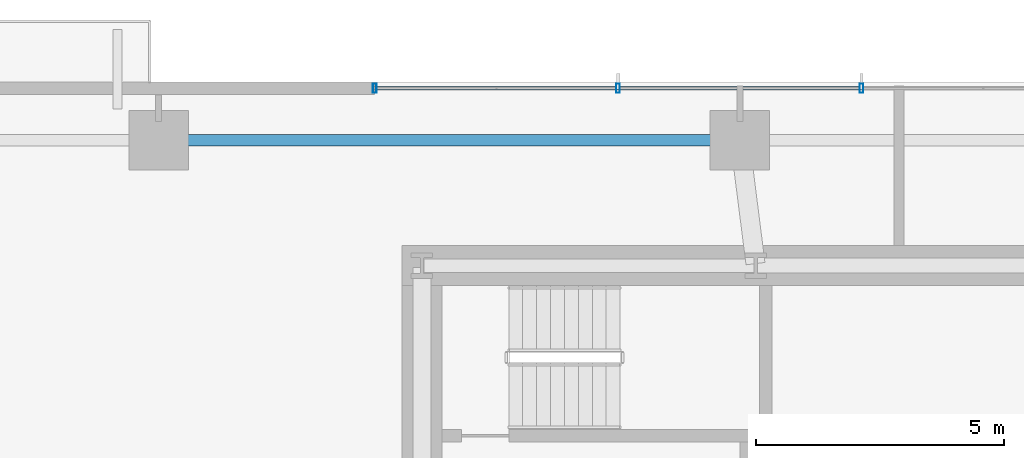
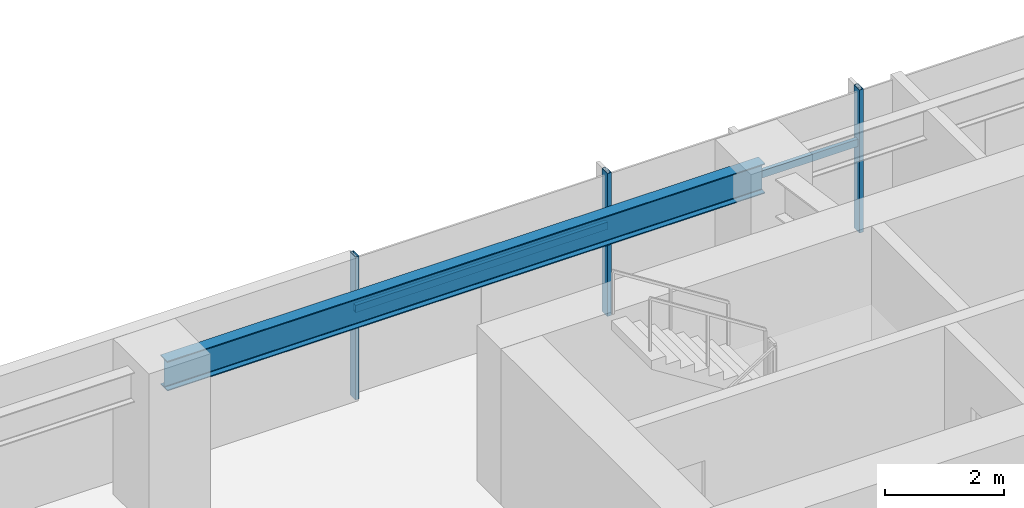
# One storey, part 10 of 25: 5 members, 1 beam, 1 element without a shape of its own.
"""IFC4 building model written with IfcOpenShell, lengths in metres."""

from ifc_helpers import new_model, si_unit, direction, frame, origin, origin_2d, place, context, subcontext, project, spatial, hollow_rectangle, i_section, extrude, source, transform, mapped, material, material_profile, profile_set, type_object, type_shapes, element, aggregate, save


model = new_model("IFC4")

# Units and contexts
model_context = context("Model", 3, precision=1e-05, world=origin(), true_north=direction((0.0, 1.0)))
body_context = subcontext(model_context, "Body", "Model", "MODEL_VIEW")
ifc_project = project(units=[si_unit("LENGTHUNIT", "METRE"), si_unit("AREAUNIT", "SQUARE_METRE"), si_unit("VOLUMEUNIT", "CUBIC_METRE"), si_unit("PLANEANGLEUNIT", "RADIAN"), si_unit("MASSUNIT", "GRAM", prefix="KILO")], contexts=[model_context])

# Site, building, storey
site_placement = place(None, origin())
site = spatial("IfcSite", under=ifc_project, at=site_placement, CompositionType="ELEMENT")
building_placement = place(site_placement, origin())
building = spatial("IfcBuilding", under=site, at=building_placement, Name="Astriad Promenade Condominiums", CompositionType="ELEMENT")
storey_placement = place(building_placement, frame((0.0, 0.0, 51.800048828125)))
storey = spatial("IfcBuildingStorey", under=building, at=storey_placement, Name="L14", CompositionType="ELEMENT", Elevation=51.800048828125)

# Beam
ifc_material_1 = material(Name="Steel ASTM A992 Grade 50", Category="steel")
ifc_material_profile_1 = material_profile(ifc_material_1, i_section(OverallWidth=0.22900390625, OverallDepth=0.612060546875, WebThickness=0.011962890625, FlangeThickness=0.01953125, FilletRadius=0.017822265625, at=origin_2d()), Name="W24X84")
ifc_profile_set_1 = profile_set([ifc_material_profile_1], Name="Steel ASTM A992 Grade 50")
beam_type = type_object("IfcBeamType", Name="STEEL SPANDREL BEAM W24X84", PredefinedType="SPANDREL", material=ifc_profile_set_1)
shared_shape_1 = source(origin(), body_context, "Body", "SweptSolid", [
    extrude(i_section(OverallWidth=0.22900390625, OverallDepth=0.612060546875, WebThickness=0.011962890625, FlangeThickness=0.01953125, FilletRadius=0.017822265625, at=origin_2d()), origin(), (0.0, 0.0, 1.0), 11.6201171875),
])
type_shapes(beam_type, [shared_shape_1])
beam_placement = place(storey_placement, frame((32.760009765625, 26.52001953125, 2.634033203125), z_axis=(-1.0, 0.0, 0.0), x_axis=(0.0, -1.0, 0.0)))
element("IfcBeam", 1, at=beam_placement, inside=storey, type_object=beam_type, Name="Perimeter Spandrel Beam SP-N2-L14", PredefinedType="SPANDREL", context=body_context, shape_type="MappedRepresentation", body=[
    mapped(shared_shape_1, transform((0.0, 0.0, 0.0), scale=1.0)),
])

# Curtain wall, members
ifc_material_2 = material(Name="Anodised aluminium Black Dark Glass Unitised", Category="aluminium")
curtain_wall_type = type_object("IfcCurtainWallType", Name="CW-B1-DARK", PredefinedType="USERDEFINED", material=ifc_material_2)
curtain_wall_placement = place(storey_placement, origin())
curtain_wall = element("IfcCurtainWall", 2, at=curtain_wall_placement, inside=storey, type_object=curtain_wall_type, Name="CW-L14-N", ObjectType="UNITISED_CURTAIN_WALL", PredefinedType="USERDEFINED")
ifc_material_3 = material(Name="Anodised aluminium 6063-T6 Black", Category="aluminium")
ifc_material_profile_2 = material_profile(ifc_material_3, hollow_rectangle(XDim=0.074951171875, YDim=0.18505859375, WallThickness=0.00439453125, at=origin_2d()), Name="ALU-MUL-75X185")
ifc_profile_set_2 = profile_set([ifc_material_profile_2], Name="Anodised aluminium 6063-T6 Black")
member_type_1 = type_object("IfcMemberType", Name="MUL-ALU-MUL-75X185", PredefinedType="MULLION", material=ifc_profile_set_2)
shared_shape_2 = source(origin(), body_context, "Body", "SweptSolid", [
    extrude(hollow_rectangle(XDim=0.074951171875, YDim=0.18505859375, WallThickness=0.00439453125, at=origin_2d()), origin(), (0.0, 0.0, 1.0), 2.93994140625),
])
type_shapes(member_type_1, [shared_shape_2])
member_1_placement = place(storey_placement, frame((25.449951171875, 27.570068359375, 0.0), z_axis=(0.0, 0.0, 1.0), x_axis=(1.0, 0.0, 0.0)))
member_1 = element("IfcMember", 3, at=member_1_placement, type_object=member_type_1, Name="CW-L14-N-MUL-00", PredefinedType="MULLION", context=body_context, shape_type="MappedRepresentation", body=[
    mapped(shared_shape_2, transform((0.0, 0.0, 0.0), scale=1.0)),
])
member_2_placement = place(storey_placement, frame((30.35009765625, 27.570068359375, 0.0), z_axis=(0.0, 0.0, 1.0), x_axis=(1.0, 0.0, 0.0)))
member_2 = element("IfcMember", 4, at=member_2_placement, type_object=member_type_1, Name="CW-L14-N-MUL-01", PredefinedType="MULLION", context=body_context, shape_type="MappedRepresentation", body=[
    mapped(shared_shape_2, transform((0.0, 0.0, 0.0), scale=1.0)),
])
member_3_placement = place(storey_placement, frame((35.25, 27.570068359375, 0.0), z_axis=(0.0, 0.0, 1.0), x_axis=(1.0, 0.0, 0.0)))
member_3 = element("IfcMember", 5, at=member_3_placement, type_object=member_type_1, Name="CW-L14-N-MUL-02", PredefinedType="MULLION", context=body_context, shape_type="MappedRepresentation", body=[
    mapped(shared_shape_2, transform((0.0, 0.0, 0.0), scale=1.0)),
])
ifc_material_profile_3 = material_profile(ifc_material_3, hollow_rectangle(XDim=0.074951171875, YDim=0.14990234375, WallThickness=0.004150390625, at=origin_2d()), Name="ALU-TRN-75X150")
ifc_profile_set_3 = profile_set([ifc_material_profile_3], Name="Anodised aluminium 6063-T6 Black")
member_type_2 = type_object("IfcMemberType", Name="TRN-ALU-TRN-75X150", PredefinedType="USERDEFINED", material=ifc_profile_set_3)
shared_shape_3 = source(origin(), body_context, "Body", "SweptSolid", [
    extrude(hollow_rectangle(XDim=0.074951171875, YDim=0.14990234375, WallThickness=0.004150390625, at=origin_2d()), origin(), (0.0, 0.0, 1.0), 4.900146484375),
])
member_4_placement = place(storey_placement, frame((25.449951171875, 27.570068359375, 1.82275390625), z_axis=(1.0, 0.0, 0.0), x_axis=(0.0, 1.0, 0.0)))
member_4 = element("IfcMember", 6, at=member_4_placement, type_object=member_type_2, Name="CW-L14-N-TRN-00-0", ObjectType="TRANSOM", PredefinedType="USERDEFINED", context=body_context, shape_type="MappedRepresentation", body=[
    mapped(shared_shape_3, transform((0.0, 0.0, 0.0), scale=1.0)),
])
shared_shape_4 = source(origin(), body_context, "Body", "SweptSolid", [
    extrude(hollow_rectangle(XDim=0.074951171875, YDim=0.14990234375, WallThickness=0.004150390625, at=origin_2d()), origin(), (0.0, 0.0, 1.0), 4.89990234375),
])
type_shapes(member_type_2, [shared_shape_3, shared_shape_4])
member_5_placement = place(storey_placement, frame((30.35009765625, 27.570068359375, 1.82275390625), z_axis=(1.0, 0.0, 0.0), x_axis=(0.0, 1.0, 0.0)))
member_5 = element("IfcMember", 7, at=member_5_placement, type_object=member_type_2, Name="CW-L14-N-TRN-01-0", ObjectType="TRANSOM", PredefinedType="USERDEFINED", context=body_context, shape_type="MappedRepresentation", body=[
    mapped(shared_shape_4, transform((0.0, 0.0, 0.0), scale=1.0)),
])
aggregate(curtain_wall, [member_1, member_2, member_3, member_4, member_5])

save(model, "model.ifc")
